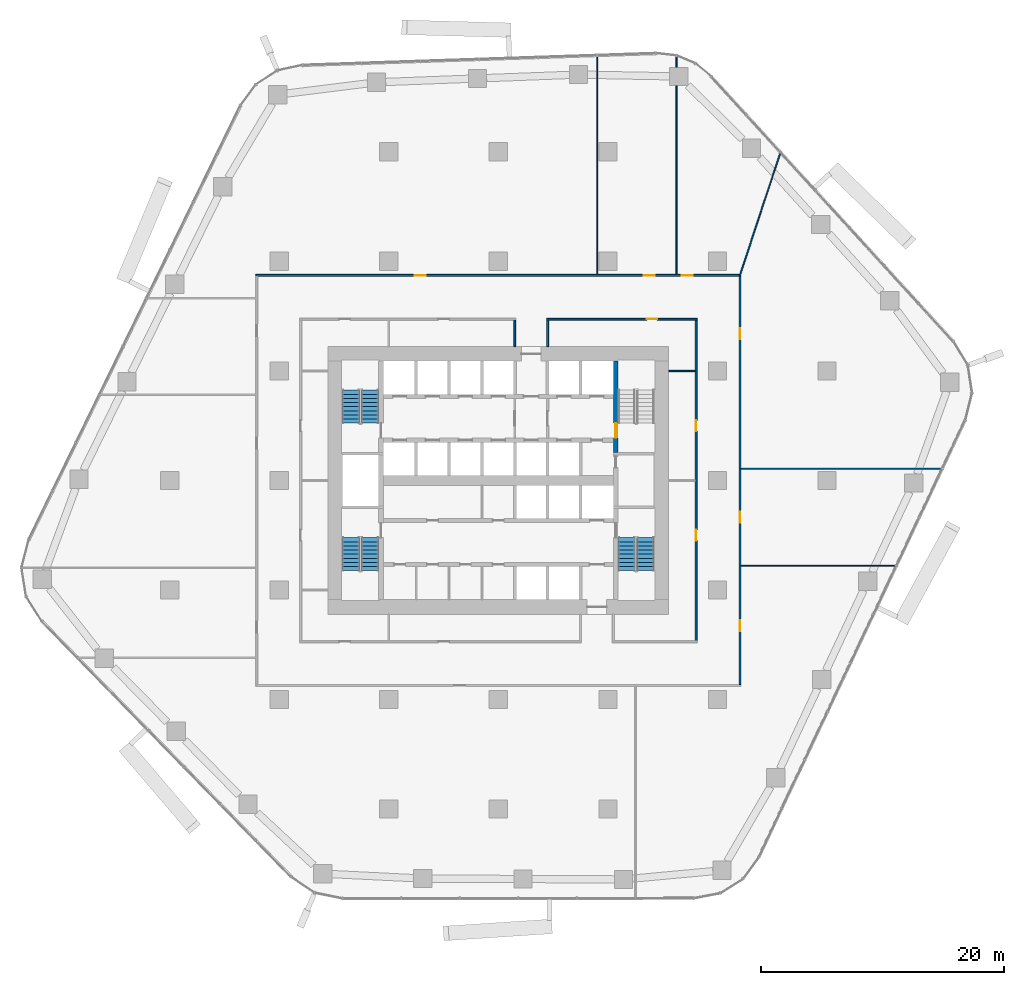
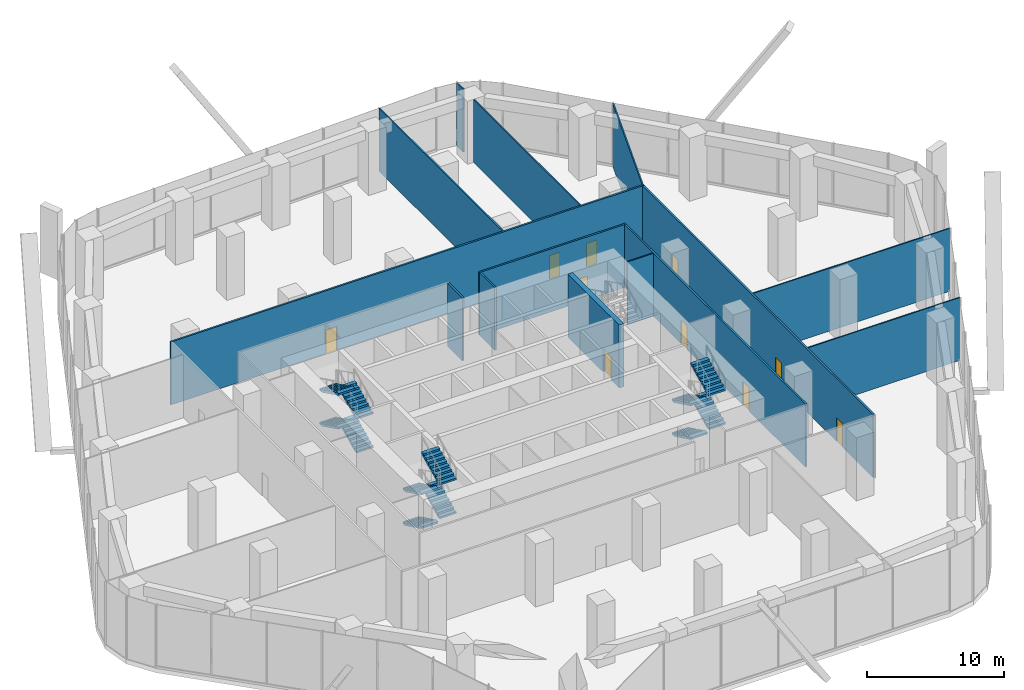
# One storey, part 13 of 19: 14 walls, 12 stair flights, 10 doors, 10 openings, 3 elements without a shape of their own.
"""IFC4 building model written with IfcOpenShell, lengths in metres."""

from ifc_helpers import new_model, si_unit, direction, frame, frame_2d, origin, place, context, subcontext, project, spatial, polyline, rectangle, outline, extrude, material, layer, layer_set, type_object, element, fill, aggregate, save


model = new_model("IFC4")

# Units and contexts
model_context = context("Model", 3, precision=1e-05, world=origin(), true_north=direction((0.0, 1.0)))
body_context = subcontext(model_context, "Body", "Model", "MODEL_VIEW")
ifc_project = project(units=[si_unit("LENGTHUNIT", "METRE"), si_unit("AREAUNIT", "SQUARE_METRE"), si_unit("VOLUMEUNIT", "CUBIC_METRE"), si_unit("PLANEANGLEUNIT", "RADIAN"), si_unit("MASSUNIT", "GRAM", prefix="KILO")], contexts=[model_context])

# Site, building, storey
site_placement = place(None, origin())
site = spatial("IfcSite", under=ifc_project, at=site_placement, CompositionType="ELEMENT")
building_placement = place(site_placement, origin())
building = spatial("IfcBuilding", under=site, at=building_placement, Name="Dongbaek Canopy Tower", CompositionType="ELEMENT")
storey_placement = place(building_placement, frame((0.0, 0.0, 38.0)))
storey = spatial("IfcBuildingStorey", under=building, at=storey_placement, Name="L05", CompositionType="ELEMENT", Elevation=38.0)

# Wall, opening, door
ifc_material_1 = material(Name="Gypsum board partition, steel stud, 2 x 15 mm fire board", Category="steel")
ifc_layer_1 = layer(ifc_material_1, 0.14990234375)
ifc_layer_set_1 = layer_set([ifc_layer_1], Name="Fire-rated partition 150 gypsum board")
wall_type_1 = type_object("IfcWallType", Name="Fire-rated partition 150 gypsum board", PredefinedType="PARTITIONING", material=ifc_layer_set_1)
wall_1_placement = place(storey_placement, frame((16.324951171875, 13.25, 0.0), z_axis=(0.0, 0.0, 1.0), x_axis=(-1.0, 0.0, 0.0)))
wall_1 = element("IfcWall", 1, at=wall_1_placement, inside=storey, type_object=wall_type_1, Name="Corridor partition", PredefinedType="PARTITIONING", context=body_context, shape_type="SweptSolid", body=[
    extrude(rectangle(XDim=12.349853515625, YDim=0.14990234375, at=frame_2d((6.1748046875, 0.0))), origin(), (0.0, 0.0, 1.0), 5.60009765625),
])
opening_1_placement = place(wall_1_placement, frame((3.25, 0.0, 0.0)))
opening_1 = element("IfcOpeningElement", 2, at=opening_1_placement, cuts=wall_1, Name="Opening L05-D016", PredefinedType="OPENING", context=body_context, shape_type="SweptSolid", body=[
    extrude(rectangle(XDim=0.89990234375, YDim=2.10009765625, at=frame_2d((0.449951171875, 1.050048828125))), frame((0.0, 0.0849609375, 0.0), z_axis=(0.0, -1.0, 0.0), x_axis=(1.0, 0.0, 0.0)), (0.0, 0.0, 1.0), 0.169921875),
])
ifc_material_2 = material(Name="Timber veneered door leaf", Category="wood")
door_type_1 = type_object("IfcDoorType", Name="Room door 900 x 2100", OperationType="SINGLE_SWING_LEFT", PredefinedType="DOOR", material=ifc_material_2)
door_1_placement = place(opening_1_placement, origin())
door_1 = element("IfcDoor", 3, at=door_1_placement, inside=storey, type_object=door_type_1, Name="Door L05-D016", OperationType="SINGLE_SWING_LEFT", OverallHeight=2.10009765625, OverallWidth=0.89990234375, PredefinedType="DOOR", context=body_context, shape_type="SweptSolid", body=[
    extrude(rectangle(XDim=0.89990234375, YDim=2.10009765625, at=frame_2d((0.449951171875, 1.050048828125))), frame((0.0, 0.02490234375, 0.0), z_axis=(0.0, -1.0, 0.0), x_axis=(1.0, 0.0, 0.0)), (0.0, 0.0, 1.0), 0.050048828125),
])
fill(opening_1, door_1)

# Wall, openings, doors
wall_2_placement = place(storey_placement, frame((-19.925048828125, 16.85009765625, 0.0), z_axis=(0.0, 0.0, 1.0), x_axis=(1.0, 0.0, 0.0)))
wall_2 = element("IfcWall", 4, at=wall_2_placement, inside=storey, type_object=wall_type_1, Name="Corridor partition", PredefinedType="PARTITIONING", context=body_context, shape_type="SweptSolid", body=[
    extrude(rectangle(XDim=39.85009765625, YDim=0.14990234375, at=frame_2d((19.925048828125, 0.0))), origin(), (0.0, 0.0, 1.0), 5.60009765625),
])
opening_2_placement = place(wall_2_placement, frame((35.003662109375, 0.0, 0.0)))
opening_2 = element("IfcOpeningElement", 5, at=opening_2_placement, cuts=wall_2, Name="Opening L05-D007", PredefinedType="OPENING", context=body_context, shape_type="SweptSolid", body=[
    extrude(rectangle(XDim=0.89990234375, YDim=2.10009765625, at=frame_2d((0.449951171875, 1.050048828125))), frame((0.0, 0.0849609375, 0.0), z_axis=(0.0, -1.0, 0.0), x_axis=(1.0, 0.0, 0.0)), (0.0, 0.0, 1.0), 0.169921875),
])
opening_3_placement = place(wall_2_placement, frame((31.87646484375, 0.0, 0.0)))
opening_3 = element("IfcOpeningElement", 6, at=opening_3_placement, cuts=wall_2, Name="Opening L05-D008", PredefinedType="OPENING", context=body_context, shape_type="SweptSolid", body=[
    extrude(rectangle(XDim=0.89990234375, YDim=2.10009765625, at=frame_2d((0.449951171875, 1.050048828125))), frame((0.0, 0.0849609375, 0.0), z_axis=(0.0, -1.0, 0.0), x_axis=(1.0, 0.0, 0.0)), (0.0, 0.0, 1.0), 0.169921875),
])
opening_4_placement = place(wall_2_placement, frame((13.0712890625, 0.0, 0.0)))
opening_4 = element("IfcOpeningElement", 7, at=opening_4_placement, cuts=wall_2, Name="Opening L05-D009", PredefinedType="OPENING", context=body_context, shape_type="SweptSolid", body=[
    extrude(rectangle(XDim=0.89990234375, YDim=2.10009765625, at=frame_2d((0.449951171875, 1.050048828125))), frame((0.0, 0.0849609375, 0.0), z_axis=(0.0, -1.0, 0.0), x_axis=(1.0, 0.0, 0.0)), (0.0, 0.0, 1.0), 0.169921875),
])
door_2_placement = place(opening_2_placement, origin())
door_2 = element("IfcDoor", 8, at=door_2_placement, inside=storey, type_object=door_type_1, Name="Door L05-D007", OperationType="SINGLE_SWING_RIGHT", OverallHeight=2.10009765625, OverallWidth=0.89990234375, PredefinedType="DOOR", context=body_context, shape_type="SweptSolid", body=[
    extrude(rectangle(XDim=0.89990234375, YDim=2.10009765625, at=frame_2d((0.449951171875, 1.050048828125))), frame((0.0, 0.02490234375, 0.0), z_axis=(0.0, -1.0, 0.0), x_axis=(1.0, 0.0, 0.0)), (0.0, 0.0, 1.0), 0.050048828125),
])
fill(opening_2, door_2)
door_3_placement = place(opening_3_placement, origin())
door_3 = element("IfcDoor", 9, at=door_3_placement, inside=storey, type_object=door_type_1, Name="Door L05-D008", OperationType="SINGLE_SWING_LEFT", OverallHeight=2.10009765625, OverallWidth=0.89990234375, PredefinedType="DOOR", context=body_context, shape_type="SweptSolid", body=[
    extrude(rectangle(XDim=0.89990234375, YDim=2.10009765625, at=frame_2d((0.449951171875, 1.050048828125))), frame((0.0, 0.02490234375, 0.0), z_axis=(0.0, -1.0, 0.0), x_axis=(1.0, 0.0, 0.0)), (0.0, 0.0, 1.0), 0.050048828125),
])
fill(opening_3, door_3)
door_4_placement = place(opening_4_placement, origin())
door_4 = element("IfcDoor", 10, at=door_4_placement, inside=storey, type_object=door_type_1, Name="Door L05-D009", OperationType="SINGLE_SWING_RIGHT", OverallHeight=2.10009765625, OverallWidth=0.89990234375, PredefinedType="DOOR", context=body_context, shape_type="SweptSolid", body=[
    extrude(rectangle(XDim=0.89990234375, YDim=2.10009765625, at=frame_2d((0.449951171875, 1.050048828125))), frame((0.0, 0.02490234375, 0.0), z_axis=(0.0, -1.0, 0.0), x_axis=(1.0, 0.0, 0.0)), (0.0, 0.0, 1.0), 0.050048828125),
])
fill(opening_4, door_4)

wall_3_placement = place(storey_placement, frame((19.85009765625, 16.77490234375, 0.0), z_axis=(0.0, 0.0, 1.0), x_axis=(0.0, -1.0, 0.0)))
wall_3 = element("IfcWall", 11, at=wall_3_placement, inside=storey, type_object=wall_type_1, Name="Corridor partition", PredefinedType="PARTITIONING", context=body_context, shape_type="SweptSolid", body=[
    extrude(rectangle(XDim=33.5498046875, YDim=0.14990234375, at=frame_2d((16.77490234375, 0.0))), origin(), (0.0, 0.0, 1.0), 5.60009765625),
])
opening_5_placement = place(wall_3_placement, frame((28.261474609375, 0.0, 0.0)))
opening_5 = element("IfcOpeningElement", 12, at=opening_5_placement, cuts=wall_3, Name="Opening L05-D004", PredefinedType="OPENING", context=body_context, shape_type="SweptSolid", body=[
    extrude(rectangle(XDim=0.89990234375, YDim=2.10009765625, at=frame_2d((0.449951171875, 1.050048828125))), frame((0.0, 0.0849609375, 0.0), z_axis=(0.0, -1.0, 0.0), x_axis=(1.0, 0.0, 0.0)), (0.0, 0.0, 1.0), 0.169921875),
])
opening_6_placement = place(wall_3_placement, frame((19.359619140625, 0.0, 0.0)))
opening_6 = element("IfcOpeningElement", 13, at=opening_6_placement, cuts=wall_3, Name="Opening L05-D005", PredefinedType="OPENING", context=body_context, shape_type="SweptSolid", body=[
    extrude(rectangle(XDim=0.89990234375, YDim=2.10009765625, at=frame_2d((0.449951171875, 1.050048828125))), frame((0.0, 0.0849609375, 0.0), z_axis=(0.0, -1.0, 0.0), x_axis=(1.0, 0.0, 0.0)), (0.0, 0.0, 1.0), 0.169921875),
])
opening_7_placement = place(wall_3_placement, frame((4.265380859375, 0.0, 0.0)))
opening_7 = element("IfcOpeningElement", 14, at=opening_7_placement, cuts=wall_3, Name="Opening L05-D006", PredefinedType="OPENING", context=body_context, shape_type="SweptSolid", body=[
    extrude(rectangle(XDim=0.89990234375, YDim=2.10009765625, at=frame_2d((0.449951171875, 1.050048828125))), frame((0.0, 0.0849609375, 0.0), z_axis=(0.0, -1.0, 0.0), x_axis=(1.0, 0.0, 0.0)), (0.0, 0.0, 1.0), 0.169921875),
])
door_5_placement = place(opening_5_placement, origin())
door_5 = element("IfcDoor", 15, at=door_5_placement, inside=storey, type_object=door_type_1, Name="Door L05-D004", OperationType="SINGLE_SWING_LEFT", OverallHeight=2.10009765625, OverallWidth=0.89990234375, PredefinedType="DOOR", context=body_context, shape_type="SweptSolid", body=[
    extrude(rectangle(XDim=0.89990234375, YDim=2.10009765625, at=frame_2d((0.449951171875, 1.050048828125))), frame((0.0, 0.02490234375, 0.0), z_axis=(0.0, -1.0, 0.0), x_axis=(1.0, 0.0, 0.0)), (0.0, 0.0, 1.0), 0.050048828125),
])
fill(opening_5, door_5)
door_6_placement = place(opening_6_placement, origin())
door_6 = element("IfcDoor", 16, at=door_6_placement, inside=storey, type_object=door_type_1, Name="Door L05-D005", OperationType="SINGLE_SWING_RIGHT", OverallHeight=2.10009765625, OverallWidth=0.89990234375, PredefinedType="DOOR", context=body_context, shape_type="SweptSolid", body=[
    extrude(rectangle(XDim=0.89990234375, YDim=2.10009765625, at=frame_2d((0.449951171875, 1.050048828125))), frame((0.0, 0.02490234375, 0.0), z_axis=(0.0, -1.0, 0.0), x_axis=(1.0, 0.0, 0.0)), (0.0, 0.0, 1.0), 0.050048828125),
])
fill(opening_6, door_6)
door_7_placement = place(opening_7_placement, origin())
door_7 = element("IfcDoor", 17, at=door_7_placement, inside=storey, type_object=door_type_1, Name="Door L05-D006", OperationType="SINGLE_SWING_LEFT", OverallHeight=2.10009765625, OverallWidth=0.89990234375, PredefinedType="DOOR", context=body_context, shape_type="SweptSolid", body=[
    extrude(rectangle(XDim=0.89990234375, YDim=2.10009765625, at=frame_2d((0.449951171875, 1.050048828125))), frame((0.0, 0.02490234375, 0.0), z_axis=(0.0, -1.0, 0.0), x_axis=(1.0, 0.0, 0.0)), (0.0, 0.0, 1.0), 0.050048828125),
])
fill(opening_7, door_7)

wall_4_placement = place(storey_placement, frame((16.25, -13.175048828125, 0.0), z_axis=(0.0, 0.0, 1.0), x_axis=(0.0, 1.0, 0.0)))
wall_4 = element("IfcWall", 18, at=wall_4_placement, inside=storey, type_object=wall_type_1, Name="Corridor partition", PredefinedType="PARTITIONING", context=body_context, shape_type="SweptSolid", body=[
    extrude(rectangle(XDim=26.35009765625, YDim=0.14990234375, at=frame_2d((13.175048828125, 0.0))), origin(), (0.0, 0.0, 1.0), 5.60009765625),
])
opening_8_placement = place(wall_4_placement, frame((8.22509765625, 0.0, 0.0)))
opening_8 = element("IfcOpeningElement", 19, at=opening_8_placement, cuts=wall_4, Name="Opening L05-D014", PredefinedType="OPENING", context=body_context, shape_type="SweptSolid", body=[
    extrude(rectangle(XDim=0.89990234375, YDim=2.10009765625, at=frame_2d((0.449951171875, 1.050048828125))), frame((0.0, 0.0849609375, 0.0), z_axis=(0.0, -1.0, 0.0), x_axis=(1.0, 0.0, 0.0)), (0.0, 0.0, 1.0), 0.169921875),
])
opening_9_placement = place(wall_4_placement, frame((17.22509765625, 0.0, 0.0)))
opening_9 = element("IfcOpeningElement", 20, at=opening_9_placement, cuts=wall_4, Name="Opening L05-D015", PredefinedType="OPENING", context=body_context, shape_type="SweptSolid", body=[
    extrude(rectangle(XDim=0.89990234375, YDim=2.10009765625, at=frame_2d((0.449951171875, 1.050048828125))), frame((0.0, 0.0849609375, 0.0), z_axis=(0.0, -1.0, 0.0), x_axis=(1.0, 0.0, 0.0)), (0.0, 0.0, 1.0), 0.169921875),
])
door_8_placement = place(opening_8_placement, origin())
door_8 = element("IfcDoor", 21, at=door_8_placement, inside=storey, type_object=door_type_1, Name="Door L05-D014", OperationType="SINGLE_SWING_LEFT", OverallHeight=2.10009765625, OverallWidth=0.89990234375, PredefinedType="DOOR", context=body_context, shape_type="SweptSolid", body=[
    extrude(rectangle(XDim=0.89990234375, YDim=2.10009765625, at=frame_2d((0.449951171875, 1.050048828125))), frame((0.0, 0.02490234375, 0.0), z_axis=(0.0, -1.0, 0.0), x_axis=(1.0, 0.0, 0.0)), (0.0, 0.0, 1.0), 0.050048828125),
])
fill(opening_8, door_8)
door_9_placement = place(opening_9_placement, origin())
door_9 = element("IfcDoor", 22, at=door_9_placement, inside=storey, type_object=door_type_1, Name="Door L05-D015", OperationType="SINGLE_SWING_RIGHT", OverallHeight=2.10009765625, OverallWidth=0.89990234375, PredefinedType="DOOR", context=body_context, shape_type="SweptSolid", body=[
    extrude(rectangle(XDim=0.89990234375, YDim=2.10009765625, at=frame_2d((0.449951171875, 1.050048828125))), frame((0.0, 0.02490234375, 0.0), z_axis=(0.0, -1.0, 0.0), x_axis=(1.0, 0.0, 0.0)), (0.0, 0.0, 1.0), 0.050048828125),
])
fill(opening_9, door_9)

# Walls
for number, where, z_axis, x_axis, name in (
    (23, (4.050048828125, 11.0, 0.0), (0.0, 0.0, 1.0), (0.0, 1.0, 0.0), "Corridor partition"),
    (24, (1.35009765625, 11.0, 0.0), (0.0, 0.0, 1.0), (0.0, 1.0, 0.0), "Corridor partition"),
):
    element("IfcWall", number, at=place(storey_placement, frame(where, z_axis=z_axis, x_axis=x_axis)), inside=storey, type_object=wall_type_1, Name=name, PredefinedType="PARTITIONING", context=body_context, shape_type="SweptSolid", body=[
        extrude(rectangle(XDim=2.175048828125, YDim=0.14990234375, at=frame_2d((1.08740234375, 0.0))), origin(), (0.0, 0.0, 1.0), 5.60009765625),
    ])
ifc_material_3 = material(Name="Gypsum board partition, steel stud, 2 x 12.5 mm board", Category="steel")
ifc_layer_2 = layer(ifc_material_3, 0.10009765625)
ifc_layer_set_2 = layer_set([ifc_layer_2], Name="Partition 100 gypsum board")
wall_type_2 = type_object("IfcWallType", Name="Partition 100 gypsum board", PredefinedType="PARTITIONING", material=ifc_layer_set_2)
wall_5_placement = place(storey_placement, frame((19.925048828125, -7.02294921875, 0.0), z_axis=(0.0, 0.0, 1.0), x_axis=(1.0, 0.0, 0.0)))
element("IfcWall", 25, at=wall_5_placement, inside=storey, type_object=wall_type_2, Name="Partition", PredefinedType="PARTITIONING", context=body_context, shape_type="SweptSolid", body=[
    extrude(rectangle(XDim=12.76708984375, YDim=0.10009765625, at=frame_2d((6.383544921875, 0.0))), origin(), (0.0, 0.0, 1.0), 5.60009765625),
])
wall_6_placement = place(storey_placement, frame((19.925048828125, 0.9541015625, 0.0), z_axis=(0.0, 0.0, 1.0), x_axis=(1.0, 0.0, 0.0)))
element("IfcWall", 26, at=wall_6_placement, inside=storey, type_object=wall_type_2, Name="Partition", PredefinedType="PARTITIONING", context=body_context, shape_type="SweptSolid", body=[
    extrude(rectangle(XDim=16.534423828125, YDim=0.10009765625, at=frame_2d((8.26708984375, 0.0))), origin(), (0.0, 0.0, 1.0), 5.60009765625),
])
wall_7_placement = place(storey_placement, frame((14.0, 9.0, 0.0), z_axis=(0.0, 0.0, 1.0), x_axis=(1.0, 0.0, 0.0)))
element("IfcWall", 27, at=wall_7_placement, inside=storey, type_object=wall_type_2, Name="Partition", PredefinedType="PARTITIONING", context=body_context, shape_type="SweptSolid", body=[
    extrude(rectangle(XDim=2.175048828125, YDim=0.10009765625, at=frame_2d((1.08740234375, 0.0))), origin(), (0.0, 0.0, 1.0), 5.60009765625),
])
wall_8_placement = place(storey_placement, frame((19.850341796875, 16.849853515625, 0.0), z_axis=(0.0, 0.0, 1.0), x_axis=(0.313004345266, 0.949751693784, 0.0)))
element("IfcWall", 28, at=wall_8_placement, inside=storey, type_object=wall_type_2, Name="Partition", PredefinedType="PARTITIONING", context=body_context, shape_type="SweptSolid", body=[
    extrude(rectangle(XDim=10.639892578125, YDim=0.10009765625, at=frame_2d((5.31982421875, 0.0))), origin(), (0.0, 0.0, 1.0), 5.60009765625),
])
wall_9_placement = place(storey_placement, frame((14.637939453125, 16.925048828125, 0.0), z_axis=(0.0, 0.0, 1.0), x_axis=(0.0, 1.0, 0.0)))
element("IfcWall", 29, at=wall_9_placement, inside=storey, type_object=wall_type_2, Name="Partition", PredefinedType="PARTITIONING", context=body_context, shape_type="SweptSolid", body=[
    extrude(rectangle(XDim=15.51904296875, YDim=0.10009765625, at=frame_2d((7.759521484375, 0.0))), origin(), (0.0, 0.0, 1.0), 5.60009765625),
])
wall_10_placement = place(storey_placement, frame((14.637939453125, 33.944091796875, 0.0), z_axis=(0.0, 0.0, 1.0), x_axis=(0.0, 1.0, 0.0)))
element("IfcWall", 30, at=wall_10_placement, inside=storey, type_object=wall_type_2, Name="Partition", PredefinedType="PARTITIONING", context=body_context, shape_type="SweptSolid", body=[
    extrude(rectangle(XDim=0.95361328125, YDim=0.10009765625, at=frame_2d((0.476806640625, 0.0))), origin(), (0.0, 0.0, 1.0), 5.60009765625),
])
wall_11_placement = place(storey_placement, frame((8.115966796875, 16.925048828125, 0.0), z_axis=(0.0, 0.0, 1.0), x_axis=(0.0, 1.0, 0.0)))
element("IfcWall", 31, at=wall_11_placement, inside=storey, type_object=wall_type_2, Name="Partition", PredefinedType="PARTITIONING", context=body_context, shape_type="SweptSolid", body=[
    extrude(rectangle(XDim=18.0, YDim=0.10009765625, at=frame_2d((9.0, 0.0))), origin(), (0.0, 0.0, 1.0), 5.60009765625),
])

# Wall, opening, door
ifc_material_4 = material(Name="Concrete C60/75", Category="concrete")
ifc_layer_3 = layer(ifc_material_4, 0.39990234375)
ifc_layer_set_3 = layer_set([ifc_layer_3], Name="Stair wall 400 Concrete C60/75")
wall_type_3 = type_object("IfcWallType", Name="Stair wall 400 Concrete C60/75", PredefinedType="SHEAR", material=ifc_layer_set_3)
wall_12_placement = place(storey_placement, frame((9.64990234375, 9.800048828125, 0.0), z_axis=(0.0, 0.0, 1.0), x_axis=(0.0, -1.0, 0.0)))
wall_12 = element("IfcWall", 32, at=wall_12_placement, inside=storey, type_object=wall_type_3, Name="Stair wall", PredefinedType="SHEAR", context=body_context, shape_type="SweptSolid", body=[
    extrude(rectangle(XDim=7.5, YDim=0.39990234375, at=frame_2d((3.75, 0.0))), origin(), (0.0, 0.0, 1.0), 5.60009765625),
])
opening_10_placement = place(wall_12_placement, frame((5.10009765625, 0.0, 0.0)))
opening_10 = element("IfcOpeningElement", 33, at=opening_10_placement, cuts=wall_12, Name="Opening L05-D045", PredefinedType="OPENING", context=body_context, shape_type="SweptSolid", body=[
    extrude(rectangle(XDim=1.199951171875, YDim=2.10009765625, at=frame_2d((0.60009765625, 1.050048828125))), frame((0.0, 0.2099609375, 0.0), z_axis=(0.0, -1.0, 0.0), x_axis=(1.0, 0.0, 0.0)), (0.0, 0.0, 1.0), 0.419921875),
])
ifc_material_5 = material(Name="Steel", Category="steel")
door_type_2 = type_object("IfcDoorType", Name="Stair door 1200 x 2100", OperationType="SINGLE_SWING_LEFT", PredefinedType="DOOR", material=ifc_material_5)
door_10_placement = place(opening_10_placement, origin())
door_10 = element("IfcDoor", 34, at=door_10_placement, inside=storey, type_object=door_type_2, Name="Stair A door", OperationType="SINGLE_SWING_LEFT", OverallHeight=2.10009765625, OverallWidth=1.199951171875, PredefinedType="DOOR", context=body_context, shape_type="SweptSolid", body=[
    extrude(rectangle(XDim=1.199951171875, YDim=2.10009765625, at=frame_2d((0.60009765625, 1.050048828125))), frame((0.0, 0.02490234375, 0.0), z_axis=(0.0, -1.0, 0.0), x_axis=(1.0, 0.0, 0.0)), (0.0, 0.0, 1.0), 0.050048828125),
])
fill(opening_10, door_10)

# Stair, stair flights
ifc_material_6 = material(Name="Concrete C40/50", Category="concrete")
stair_type = type_object("IfcStairType", Name="Core exit stair", PredefinedType="HALF_TURN_STAIR", material=ifc_material_6)
stair_1_placement = place(storey_placement, origin())
stair_1 = element("IfcStair", 35, at=stair_1_placement, inside=storey, type_object=stair_type, Name="L05 exit stair C", PredefinedType="HALF_TURN_STAIR")
ifc_material_7 = material(Name="Concrete C40/50", Category="concrete")
ifc_layer_4 = layer(ifc_material_7, 0.14990234375)
ifc_layer_set_4 = layer_set([ifc_layer_4], Name="Core stair flight 150 waist")
stair_flight_type = type_object("IfcStairFlightType", Name="Core stair flight 150 waist", PredefinedType="STRAIGHT", material=ifc_layer_set_4)
stair_flight_1_placement = place(storey_placement, frame((-10.550048828125, 4.699951171875, 0.0), z_axis=(0.0, 0.0, 1.0), x_axis=(0.0, 1.0, 0.0)))
stair_flight_1 = element("IfcStairFlight", 36, at=stair_flight_1_placement, type_object=stair_flight_type, Name="ST-C flight 1", NumberOfRisers=9, NumberOfTreads=8, PredefinedType="STRAIGHT", RiserHeight=0.166666667, TreadLength=0.34, context=body_context, shape_type="SweptSolid", body=[
    extrude(outline(polyline([(0.0, 0.0), (0.0, 0.166748046875), (0.340087890625, 0.166748046875), (0.340087890625, 0.333251953125), (0.679931640625, 0.333251953125), (0.679931640625, 0.5), (1.02001953125, 0.5), (1.02001953125, 0.666748046875), (1.360107421875, 0.666748046875), (1.360107421875, 0.833251953125), (1.699951171875, 0.833251953125), (1.699951171875, 1.0), (2.0400390625, 1.0), (2.0400390625, 1.166748046875), (2.3798828125, 1.166748046875), (2.3798828125, 1.333251953125), (2.719970703125, 1.333251953125), (2.719970703125, 1.5), (2.719970703125, 1.16650390625), (0.340576171875, 0.0), (0.0, 0.0)])), frame((0.0, 0.699951171875, 0.0), z_axis=(0.0, -1.0, 0.0), x_axis=(1.0, 0.0, 0.0)), (0.0, 0.0, 1.0), 1.39990234375),
])
stair_flight_2_placement = place(storey_placement, frame((-12.10009765625, 7.419921875, 1.5), z_axis=(0.0, 0.0, 1.0), x_axis=(0.0, -1.0, 0.0)))
stair_flight_2 = element("IfcStairFlight", 37, at=stair_flight_2_placement, type_object=stair_flight_type, Name="ST-C flight 2", NumberOfRisers=9, NumberOfTreads=8, PredefinedType="STRAIGHT", RiserHeight=0.166666667, TreadLength=0.34, context=body_context, shape_type="SweptSolid", body=[
    extrude(outline(polyline([(0.0, 0.0), (0.0, 0.166748046875), (0.340087890625, 0.166748046875), (0.340087890625, 0.333251953125), (0.679931640625, 0.333251953125), (0.679931640625, 0.5), (1.02001953125, 0.5), (1.02001953125, 0.666748046875), (1.360107421875, 0.666748046875), (1.360107421875, 0.833251953125), (1.699951171875, 0.833251953125), (1.699951171875, 1.0), (2.0400390625, 1.0), (2.0400390625, 1.166748046875), (2.3798828125, 1.166748046875), (2.3798828125, 1.333251953125), (2.719970703125, 1.333251953125), (2.719970703125, 1.5), (2.719970703125, 1.16650390625), (0.340576171875, 0.0), (0.0, 0.0)])), frame((0.0, 0.699951171875, 0.0), z_axis=(0.0, -1.0, 0.0), x_axis=(1.0, 0.0, 0.0)), (0.0, 0.0, 1.0), 1.39990234375),
])
stair_flight_3_placement = place(storey_placement, frame((-10.550048828125, 4.699951171875, 3.0), z_axis=(0.0, 0.0, 1.0), x_axis=(0.0, 1.0, 0.0)))
stair_flight_3 = element("IfcStairFlight", 38, at=stair_flight_3_placement, type_object=stair_flight_type, Name="ST-C flight 3", NumberOfRisers=9, NumberOfTreads=8, PredefinedType="STRAIGHT", RiserHeight=0.166666667, TreadLength=0.34, context=body_context, shape_type="SweptSolid", body=[
    extrude(outline(polyline([(0.0, 0.0), (0.0, 0.166748046875), (0.340087890625, 0.166748046875), (0.340087890625, 0.333251953125), (0.679931640625, 0.333251953125), (0.679931640625, 0.5), (1.02001953125, 0.5), (1.02001953125, 0.666748046875), (1.360107421875, 0.666748046875), (1.360107421875, 0.833251953125), (1.699951171875, 0.833251953125), (1.699951171875, 1.0), (2.0400390625, 1.0), (2.0400390625, 1.166748046875), (2.3798828125, 1.166748046875), (2.3798828125, 1.333251953125), (2.719970703125, 1.333251953125), (2.719970703125, 1.5), (2.719970703125, 1.16650390625), (0.340576171875, 0.0), (0.0, 0.0)])), frame((0.0, 0.699951171875, 0.0), z_axis=(0.0, -1.0, 0.0), x_axis=(1.0, 0.0, 0.0)), (0.0, 0.0, 1.0), 1.39990234375),
])
stair_flight_4_placement = place(storey_placement, frame((-12.10009765625, 7.419921875, 4.5), z_axis=(0.0, 0.0, 1.0), x_axis=(0.0, -1.0, 0.0)))
stair_flight_4 = element("IfcStairFlight", 39, at=stair_flight_4_placement, type_object=stair_flight_type, Name="ST-C flight 4", NumberOfRisers=9, NumberOfTreads=8, PredefinedType="STRAIGHT", RiserHeight=0.166666667, TreadLength=0.34, context=body_context, shape_type="SweptSolid", body=[
    extrude(outline(polyline([(0.0, 0.0), (0.0, 0.166748046875), (0.340087890625, 0.166748046875), (0.340087890625, 0.333251953125), (0.679931640625, 0.333251953125), (0.679931640625, 0.5), (1.02001953125, 0.5), (1.02001953125, 0.666748046875), (1.360107421875, 0.666748046875), (1.360107421875, 0.833251953125), (1.699951171875, 0.833251953125), (1.699951171875, 1.0), (2.0400390625, 1.0), (2.0400390625, 1.166748046875), (2.3798828125, 1.166748046875), (2.3798828125, 1.333251953125), (2.719970703125, 1.333251953125), (2.719970703125, 1.5), (2.719970703125, 1.16650390625), (0.340576171875, 0.0), (0.0, 0.0)])), frame((0.0, 0.699951171875, 0.0), z_axis=(0.0, -1.0, 0.0), x_axis=(1.0, 0.0, 0.0)), (0.0, 0.0, 1.0), 1.39990234375),
])
aggregate(stair_1, [stair_flight_1, stair_flight_2, stair_flight_3, stair_flight_4])

stair_2_placement = place(storey_placement, origin())
stair_2 = element("IfcStair", 40, at=stair_2_placement, inside=storey, type_object=stair_type, Name="L05 exit stair B", PredefinedType="HALF_TURN_STAIR")
stair_flight_5_placement = place(storey_placement, frame((10.550048828125, -4.699951171875, 0.0), z_axis=(0.0, 0.0, 1.0), x_axis=(0.0, -1.0, 0.0)))
stair_flight_5 = element("IfcStairFlight", 41, at=stair_flight_5_placement, type_object=stair_flight_type, Name="ST-B flight 1", NumberOfRisers=9, NumberOfTreads=8, PredefinedType="STRAIGHT", RiserHeight=0.166666667, TreadLength=0.34, context=body_context, shape_type="SweptSolid", body=[
    extrude(outline(polyline([(0.0, 0.0), (0.0, 0.166748046875), (0.340087890625, 0.166748046875), (0.340087890625, 0.333251953125), (0.679931640625, 0.333251953125), (0.679931640625, 0.5), (1.02001953125, 0.5), (1.02001953125, 0.666748046875), (1.360107421875, 0.666748046875), (1.360107421875, 0.833251953125), (1.699951171875, 0.833251953125), (1.699951171875, 1.0), (2.0400390625, 1.0), (2.0400390625, 1.166748046875), (2.3798828125, 1.166748046875), (2.3798828125, 1.333251953125), (2.719970703125, 1.333251953125), (2.719970703125, 1.5), (2.719970703125, 1.16650390625), (0.340576171875, 0.0), (0.0, 0.0)])), frame((0.0, 0.699951171875, 0.0), z_axis=(0.0, -1.0, 0.0), x_axis=(1.0, 0.0, 0.0)), (0.0, 0.0, 1.0), 1.39990234375),
])
stair_flight_6_placement = place(storey_placement, frame((12.10009765625, -7.419921875, 1.5), z_axis=(0.0, 0.0, 1.0), x_axis=(0.0, 1.0, 0.0)))
stair_flight_6 = element("IfcStairFlight", 42, at=stair_flight_6_placement, type_object=stair_flight_type, Name="ST-B flight 2", NumberOfRisers=9, NumberOfTreads=8, PredefinedType="STRAIGHT", RiserHeight=0.166666667, TreadLength=0.34, context=body_context, shape_type="SweptSolid", body=[
    extrude(outline(polyline([(0.0, 0.0), (0.0, 0.166748046875), (0.340087890625, 0.166748046875), (0.340087890625, 0.333251953125), (0.679931640625, 0.333251953125), (0.679931640625, 0.5), (1.02001953125, 0.5), (1.02001953125, 0.666748046875), (1.360107421875, 0.666748046875), (1.360107421875, 0.833251953125), (1.699951171875, 0.833251953125), (1.699951171875, 1.0), (2.0400390625, 1.0), (2.0400390625, 1.166748046875), (2.3798828125, 1.166748046875), (2.3798828125, 1.333251953125), (2.719970703125, 1.333251953125), (2.719970703125, 1.5), (2.719970703125, 1.16650390625), (0.340576171875, 0.0), (0.0, 0.0)])), frame((0.0, 0.699951171875, 0.0), z_axis=(0.0, -1.0, 0.0), x_axis=(1.0, 0.0, 0.0)), (0.0, 0.0, 1.0), 1.39990234375),
])
stair_flight_7_placement = place(storey_placement, frame((10.550048828125, -4.699951171875, 3.0), z_axis=(0.0, 0.0, 1.0), x_axis=(0.0, -1.0, 0.0)))
stair_flight_7 = element("IfcStairFlight", 43, at=stair_flight_7_placement, type_object=stair_flight_type, Name="ST-B flight 3", NumberOfRisers=9, NumberOfTreads=8, PredefinedType="STRAIGHT", RiserHeight=0.166666667, TreadLength=0.34, context=body_context, shape_type="SweptSolid", body=[
    extrude(outline(polyline([(0.0, 0.0), (0.0, 0.166748046875), (0.340087890625, 0.166748046875), (0.340087890625, 0.333251953125), (0.679931640625, 0.333251953125), (0.679931640625, 0.5), (1.02001953125, 0.5), (1.02001953125, 0.666748046875), (1.360107421875, 0.666748046875), (1.360107421875, 0.833251953125), (1.699951171875, 0.833251953125), (1.699951171875, 1.0), (2.0400390625, 1.0), (2.0400390625, 1.166748046875), (2.3798828125, 1.166748046875), (2.3798828125, 1.333251953125), (2.719970703125, 1.333251953125), (2.719970703125, 1.5), (2.719970703125, 1.16650390625), (0.340576171875, 0.0), (0.0, 0.0)])), frame((0.0, 0.699951171875, 0.0), z_axis=(0.0, -1.0, 0.0), x_axis=(1.0, 0.0, 0.0)), (0.0, 0.0, 1.0), 1.39990234375),
])
stair_flight_8_placement = place(storey_placement, frame((12.10009765625, -7.419921875, 4.5), z_axis=(0.0, 0.0, 1.0), x_axis=(0.0, 1.0, 0.0)))
stair_flight_8 = element("IfcStairFlight", 44, at=stair_flight_8_placement, type_object=stair_flight_type, Name="ST-B flight 4", NumberOfRisers=9, NumberOfTreads=8, PredefinedType="STRAIGHT", RiserHeight=0.166666667, TreadLength=0.34, context=body_context, shape_type="SweptSolid", body=[
    extrude(outline(polyline([(0.0, 0.0), (0.0, 0.166748046875), (0.340087890625, 0.166748046875), (0.340087890625, 0.333251953125), (0.679931640625, 0.333251953125), (0.679931640625, 0.5), (1.02001953125, 0.5), (1.02001953125, 0.666748046875), (1.360107421875, 0.666748046875), (1.360107421875, 0.833251953125), (1.699951171875, 0.833251953125), (1.699951171875, 1.0), (2.0400390625, 1.0), (2.0400390625, 1.166748046875), (2.3798828125, 1.166748046875), (2.3798828125, 1.333251953125), (2.719970703125, 1.333251953125), (2.719970703125, 1.5), (2.719970703125, 1.16650390625), (0.340576171875, 0.0), (0.0, 0.0)])), frame((0.0, 0.699951171875, 0.0), z_axis=(0.0, -1.0, 0.0), x_axis=(1.0, 0.0, 0.0)), (0.0, 0.0, 1.0), 1.39990234375),
])
aggregate(stair_2, [stair_flight_5, stair_flight_6, stair_flight_7, stair_flight_8])

stair_3_placement = place(storey_placement, origin())
stair_3 = element("IfcStair", 45, at=stair_3_placement, inside=storey, type_object=stair_type, Name="L05 exit stair D", PredefinedType="HALF_TURN_STAIR")
stair_flight_9_placement = place(storey_placement, frame((-12.10009765625, -4.699951171875, 0.0), z_axis=(0.0, 0.0, 1.0), x_axis=(0.0, -1.0, 0.0)))
stair_flight_9 = element("IfcStairFlight", 46, at=stair_flight_9_placement, type_object=stair_flight_type, Name="ST-D flight 1", NumberOfRisers=9, NumberOfTreads=8, PredefinedType="STRAIGHT", RiserHeight=0.166666667, TreadLength=0.34, context=body_context, shape_type="SweptSolid", body=[
    extrude(outline(polyline([(0.0, 0.0), (0.0, 0.166748046875), (0.340087890625, 0.166748046875), (0.340087890625, 0.333251953125), (0.679931640625, 0.333251953125), (0.679931640625, 0.5), (1.02001953125, 0.5), (1.02001953125, 0.666748046875), (1.360107421875, 0.666748046875), (1.360107421875, 0.833251953125), (1.699951171875, 0.833251953125), (1.699951171875, 1.0), (2.0400390625, 1.0), (2.0400390625, 1.166748046875), (2.3798828125, 1.166748046875), (2.3798828125, 1.333251953125), (2.719970703125, 1.333251953125), (2.719970703125, 1.5), (2.719970703125, 1.16650390625), (0.340576171875, 0.0), (0.0, 0.0)])), frame((0.0, 0.699951171875, 0.0), z_axis=(0.0, -1.0, 0.0), x_axis=(1.0, 0.0, 0.0)), (0.0, 0.0, 1.0), 1.39990234375),
])
stair_flight_10_placement = place(storey_placement, frame((-10.550048828125, -7.419921875, 1.5), z_axis=(0.0, 0.0, 1.0), x_axis=(0.0, 1.0, 0.0)))
stair_flight_10 = element("IfcStairFlight", 47, at=stair_flight_10_placement, type_object=stair_flight_type, Name="ST-D flight 2", NumberOfRisers=9, NumberOfTreads=8, PredefinedType="STRAIGHT", RiserHeight=0.166666667, TreadLength=0.34, context=body_context, shape_type="SweptSolid", body=[
    extrude(outline(polyline([(0.0, 0.0), (0.0, 0.166748046875), (0.340087890625, 0.166748046875), (0.340087890625, 0.333251953125), (0.679931640625, 0.333251953125), (0.679931640625, 0.5), (1.02001953125, 0.5), (1.02001953125, 0.666748046875), (1.360107421875, 0.666748046875), (1.360107421875, 0.833251953125), (1.699951171875, 0.833251953125), (1.699951171875, 1.0), (2.0400390625, 1.0), (2.0400390625, 1.166748046875), (2.3798828125, 1.166748046875), (2.3798828125, 1.333251953125), (2.719970703125, 1.333251953125), (2.719970703125, 1.5), (2.719970703125, 1.16650390625), (0.340576171875, 0.0), (0.0, 0.0)])), frame((0.0, 0.699951171875, 0.0), z_axis=(0.0, -1.0, 0.0), x_axis=(1.0, 0.0, 0.0)), (0.0, 0.0, 1.0), 1.39990234375),
])
stair_flight_11_placement = place(storey_placement, frame((-12.10009765625, -4.699951171875, 3.0), z_axis=(0.0, 0.0, 1.0), x_axis=(0.0, -1.0, 0.0)))
stair_flight_11 = element("IfcStairFlight", 48, at=stair_flight_11_placement, type_object=stair_flight_type, Name="ST-D flight 3", NumberOfRisers=9, NumberOfTreads=8, PredefinedType="STRAIGHT", RiserHeight=0.166666667, TreadLength=0.34, context=body_context, shape_type="SweptSolid", body=[
    extrude(outline(polyline([(0.0, 0.0), (0.0, 0.166748046875), (0.340087890625, 0.166748046875), (0.340087890625, 0.333251953125), (0.679931640625, 0.333251953125), (0.679931640625, 0.5), (1.02001953125, 0.5), (1.02001953125, 0.666748046875), (1.360107421875, 0.666748046875), (1.360107421875, 0.833251953125), (1.699951171875, 0.833251953125), (1.699951171875, 1.0), (2.0400390625, 1.0), (2.0400390625, 1.166748046875), (2.3798828125, 1.166748046875), (2.3798828125, 1.333251953125), (2.719970703125, 1.333251953125), (2.719970703125, 1.5), (2.719970703125, 1.16650390625), (0.340576171875, 0.0), (0.0, 0.0)])), frame((0.0, 0.699951171875, 0.0), z_axis=(0.0, -1.0, 0.0), x_axis=(1.0, 0.0, 0.0)), (0.0, 0.0, 1.0), 1.39990234375),
])
stair_flight_12_placement = place(storey_placement, frame((-10.550048828125, -7.419921875, 4.5), z_axis=(0.0, 0.0, 1.0), x_axis=(0.0, 1.0, 0.0)))
stair_flight_12 = element("IfcStairFlight", 49, at=stair_flight_12_placement, type_object=stair_flight_type, Name="ST-D flight 4", NumberOfRisers=9, NumberOfTreads=8, PredefinedType="STRAIGHT", RiserHeight=0.166666667, TreadLength=0.34, context=body_context, shape_type="SweptSolid", body=[
    extrude(outline(polyline([(0.0, 0.0), (0.0, 0.166748046875), (0.340087890625, 0.166748046875), (0.340087890625, 0.333251953125), (0.679931640625, 0.333251953125), (0.679931640625, 0.5), (1.02001953125, 0.5), (1.02001953125, 0.666748046875), (1.360107421875, 0.666748046875), (1.360107421875, 0.833251953125), (1.699951171875, 0.833251953125), (1.699951171875, 1.0), (2.0400390625, 1.0), (2.0400390625, 1.166748046875), (2.3798828125, 1.166748046875), (2.3798828125, 1.333251953125), (2.719970703125, 1.333251953125), (2.719970703125, 1.5), (2.719970703125, 1.16650390625), (0.340576171875, 0.0), (0.0, 0.0)])), frame((0.0, 0.699951171875, 0.0), z_axis=(0.0, -1.0, 0.0), x_axis=(1.0, 0.0, 0.0)), (0.0, 0.0, 1.0), 1.39990234375),
])
aggregate(stair_3, [stair_flight_9, stair_flight_10, stair_flight_11, stair_flight_12])

save(model, "model.ifc")
